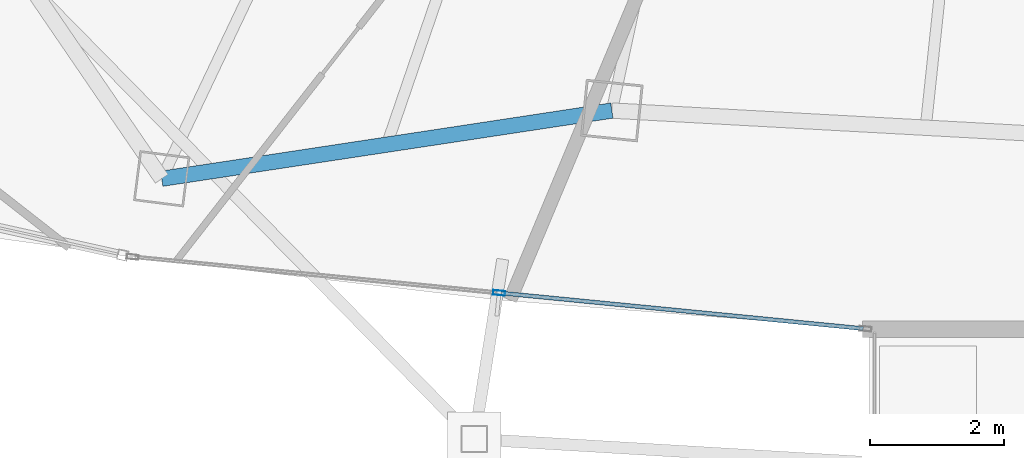
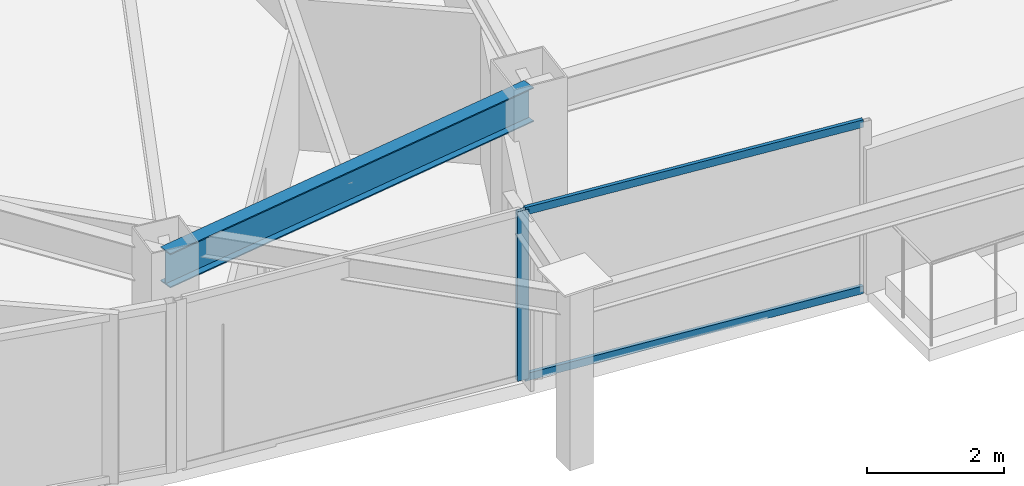
# One storey, part 4 of 31: 3 members, 1 beam, 1 element without a shape of its own.
"""IFC4 building model written with IfcOpenShell, lengths in metres."""

from ifc_helpers import new_model, si_unit, direction, frame, origin, origin_2d, place, context, subcontext, project, spatial, hollow_rectangle, i_section, extrude, material, layer, layer_set, material_profile, profile_set, type_object, element, aggregate, save


model = new_model("IFC4")

# Units and contexts
model_context = context("Model", 3, precision=1e-05, world=origin(), true_north=direction((0.0, 1.0)))
body_context = subcontext(model_context, "Body", "Model", "MODEL_VIEW")
ifc_project = project(units=[si_unit("LENGTHUNIT", "METRE"), si_unit("AREAUNIT", "SQUARE_METRE"), si_unit("VOLUMEUNIT", "CUBIC_METRE"), si_unit("PLANEANGLEUNIT", "RADIAN"), si_unit("MASSUNIT", "GRAM", prefix="KILO")], contexts=[model_context])

# Site, building, storey
site_placement = place(None, origin())
site = spatial("IfcSite", under=ifc_project, at=site_placement, CompositionType="ELEMENT")
building_placement = place(site_placement, origin())
building = spatial("IfcBuilding", under=site, at=building_placement, Name="Orvanel Arch Residences", CompositionType="ELEMENT")
storey_placement = place(building_placement, frame((0.0, 0.0, 183.64990234375)))
storey = spatial("IfcBuildingStorey", under=building, at=storey_placement, Name="L52", CompositionType="ELEMENT", Elevation=183.64990234375)

# Curtain wall, member
ifc_material_1 = material(Name="Bronze-anodised aluminium AA6063-T6", Category="aluminium")
ifc_layer = layer(ifc_material_1, 0.179931640625)
ifc_layer_set = layer_set([ifc_layer], Name="Bronze-anodised aluminium AA6063-T6")
curtain_wall_type = type_object("IfcCurtainWallType", Name="CW3-MID-SYS", PredefinedType="NOTDEFINED", material=ifc_layer_set)
curtain_wall_placement = place(storey_placement, origin())
curtain_wall = element("IfcCurtainWall", 1, at=curtain_wall_placement, inside=storey, type_object=curtain_wall_type, Name="L52 CW3-MID-SYS Unitised Curtain Wall", PredefinedType="NOTDEFINED")
ifc_material_profile_1 = material_profile(ifc_material_1, hollow_rectangle(XDim=0.070068359375, YDim=0.179931640625, WallThickness=0.00439453125, at=origin_2d()), Name="ALU180x70x4.5")
ifc_profile_set_1 = profile_set([ifc_material_profile_1], Name="Bronze-anodised aluminium AA6063-T6")
member_type_1 = type_object("IfcMemberType", Name="MUL-180x70", PredefinedType="MULLION", material=ifc_profile_set_1)
member_1_placement = place(storey_placement, frame((21.968505859375, 4.638427734375, 0.0), z_axis=(0.0, 0.0, 1.0), x_axis=(0.097701556124, 0.995215758482, 0.0)))
member_1 = element("IfcMember", 2, at=member_1_placement, type_object=member_type_1, Name="CW-S3 mullion 2", PredefinedType="MULLION", context=body_context, shape_type="SweptSolid", body=[
    extrude(hollow_rectangle(XDim=0.070068359375, YDim=0.179931640625, WallThickness=0.00439453125, at=origin_2d()), origin(), (0.0, 0.0, 1.0), 3.02001953125),
])

# Beam
ifc_material_2 = material(Name="Structural steel AS/NZS 3679.1 Grade 300 (300 MPa)", Category="steel")
ifc_material_profile_2 = material_profile(ifc_material_2, i_section(OverallWidth=0.22900390625, OverallDepth=0.612060546875, WebThickness=0.011962890625, FlangeThickness=0.01953125, at=origin_2d()), Name="610UB125")
ifc_profile_set_2 = profile_set([ifc_material_profile_2], Name="Structural steel AS/NZS 3679.1 Grade 300 (300 MPa)")
beam_type = type_object("IfcBeamType", Name="SP-610UB", PredefinedType="SPANDREL", material=ifc_profile_set_2)
beam_placement = place(storey_placement, frame((16.94091796875, 6.339111328125, 2.714111328125), z_axis=(0.988726323014, 0.149733958002, 0.0), x_axis=(-0.149733958002, 0.988726323014, 0.0)))
element("IfcBeam", 3, at=beam_placement, inside=storey, type_object=beam_type, Name="L52 Perimeter Spandrel Beam 04", PredefinedType="SPANDREL", context=body_context, shape_type="SweptSolid", body=[
    extrude(i_section(OverallWidth=0.22900390625, OverallDepth=0.612060546875, WebThickness=0.011962890625, FlangeThickness=0.01953125, at=origin_2d()), origin(), (0.0, 0.0, 1.0), 6.784423828125),
])

# Member
ifc_material_profile_3 = material_profile(ifc_material_1, hollow_rectangle(XDim=0.06005859375, YDim=0.135009765625, WallThickness=0.00390625, at=origin_2d()), Name="ALU135x60x4")
ifc_profile_set_3 = profile_set([ifc_material_profile_3], Name="Bronze-anodised aluminium AA6063-T6")
member_type_2 = type_object("IfcMemberType", Name="TRN-135x60", PredefinedType="USERDEFINED", material=ifc_profile_set_3)
member_2_placement = place(storey_placement, frame((22.00341796875, 4.635009765625, 0.030029296875), z_axis=(0.995218908747, -0.097669461313, 0.0), x_axis=(0.097669461313, 0.995218908747, 0.0)))
member_2 = element("IfcMember", 4, at=member_2_placement, type_object=member_type_2, Name="CW-S3 transom 2.1", ObjectType="TRANSOM", PredefinedType="USERDEFINED", context=body_context, shape_type="SweptSolid", body=[
    extrude(hollow_rectangle(XDim=0.06005859375, YDim=0.135009765625, WallThickness=0.00390625, at=origin_2d()), origin(), (0.0, 0.0, 1.0), 5.416748046875),
])

member_3_placement = place(storey_placement, frame((22.00341796875, 4.635009765625, 2.989990234375), z_axis=(0.995218908747, -0.097669461313, 0.0), x_axis=(0.097669461313, 0.995218908747, 0.0)))
member_3 = element("IfcMember", 5, at=member_3_placement, type_object=member_type_2, Name="CW-S3 transom 2.2", ObjectType="TRANSOM", PredefinedType="USERDEFINED", context=body_context, shape_type="SweptSolid", body=[
    extrude(hollow_rectangle(XDim=0.06005859375, YDim=0.135009765625, WallThickness=0.00390625, at=origin_2d()), origin(), (0.0, 0.0, 1.0), 5.416748046875),
])

aggregate(curtain_wall, [member_1, member_2, member_3])

save(model, "model.ifc")
